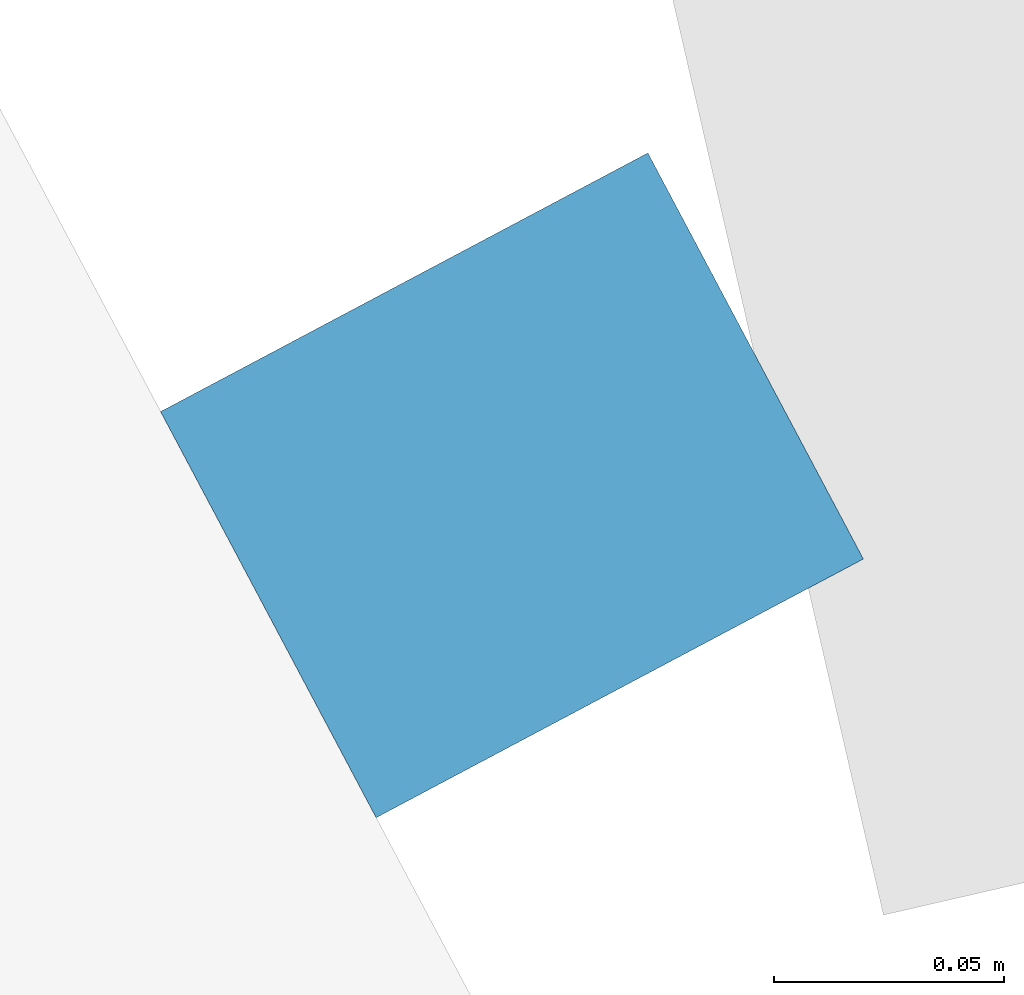
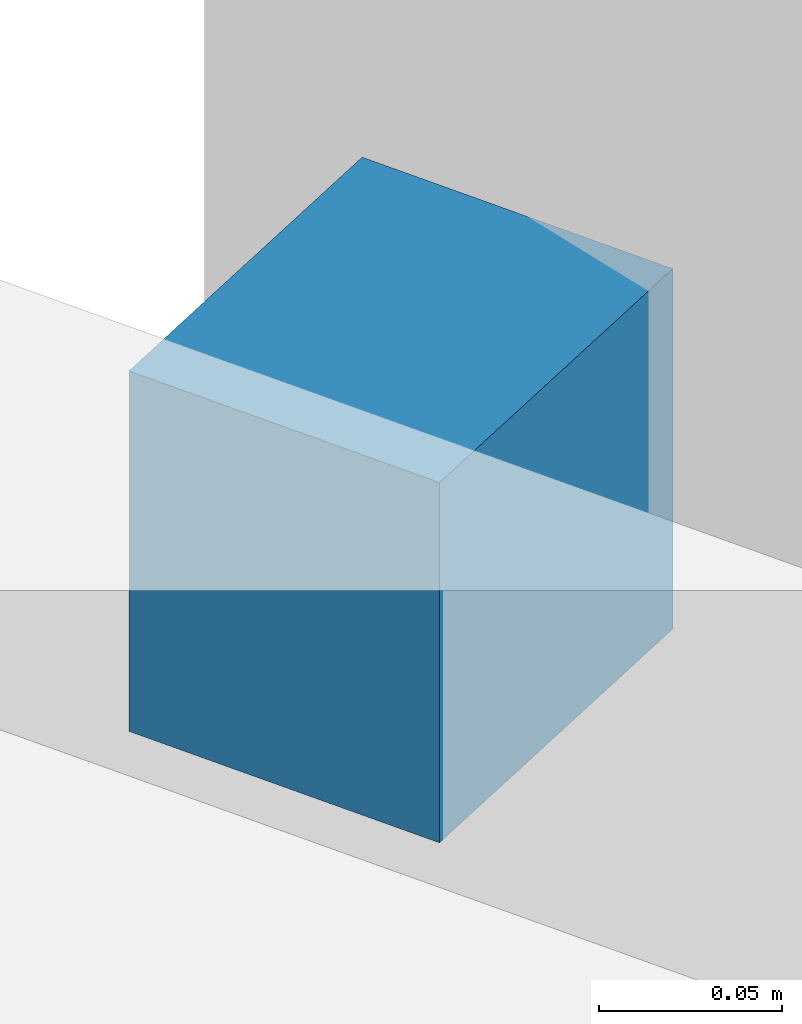
# One storey, part 17 of 25: 1 discrete accessory.
"""IFC4 building model written with IfcOpenShell, lengths in metres."""

from ifc_helpers import new_model, si_unit, direction, frame, origin, origin_2d, place, context, subcontext, project, spatial, rectangle, extrude, material, type_object, element, save


model = new_model("IFC4")

# Units and contexts
model_context = context("Model", 3, precision=1e-05, world=origin(), true_north=direction((0.0, 1.0)))
body_context = subcontext(model_context, "Body", "Model", "MODEL_VIEW")
ifc_project = project(units=[si_unit("LENGTHUNIT", "METRE"), si_unit("AREAUNIT", "SQUARE_METRE"), si_unit("VOLUMEUNIT", "CUBIC_METRE"), si_unit("PLANEANGLEUNIT", "RADIAN"), si_unit("MASSUNIT", "GRAM", prefix="KILO")], contexts=[model_context])

# Site, building, storey
site_placement = place(None, origin())
site = spatial("IfcSite", under=ifc_project, at=site_placement, CompositionType="ELEMENT")
building_placement = place(site_placement, origin())
building = spatial("IfcBuilding", under=site, at=building_placement, Name="Sierra Prisma Convention Tower", CompositionType="ELEMENT")
storey_placement = place(building_placement, frame((0.0, 0.0, 88.699951171875)))
storey = spatial("IfcBuildingStorey", under=building, at=storey_placement, Name="L18", CompositionType="ELEMENT", Elevation=88.699951171875)

# Discrete accessory
ifc_material = material(Name="Stainless steel 316", Category="steel")
discrete_accessory_type = type_object("IfcDiscreteAccessoryType", Name="Fin bracket", PredefinedType="BRACKET", material=ifc_material)
discrete_accessory_placement = place(storey_placement, frame((22.128173828125, 7.539306640625, -0.135009765625), z_axis=(0.0, 0.0, 1.0), x_axis=(0.883264326858, 0.46887538739, 0.0)))
element("IfcDiscreteAccessory", 1, at=discrete_accessory_placement, inside=storey, type_object=discrete_accessory_type, Name="Fin bracket L18.7 base", PredefinedType="BRACKET", context=body_context, shape_type="SweptSolid", body=[
    extrude(rectangle(XDim=0.1201171875, YDim=0.10009765625, at=origin_2d()), origin(), (0.0, 0.0, 1.0), 0.1201171875),
])

save(model, "model.ifc")
